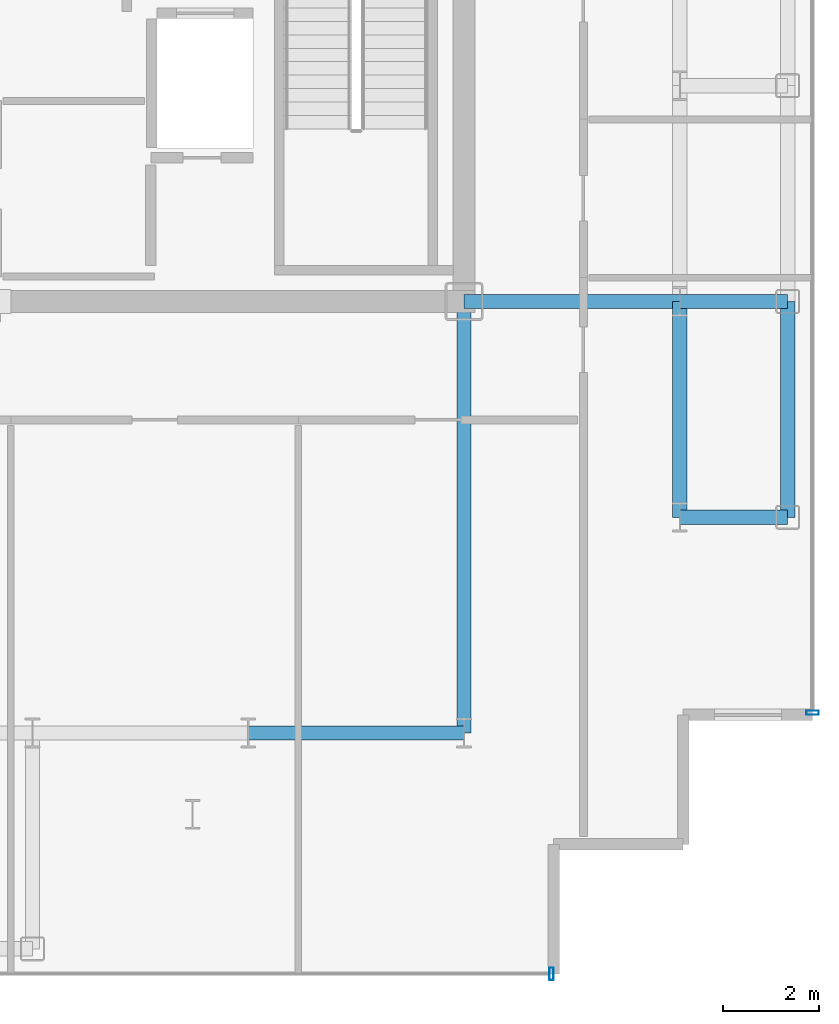
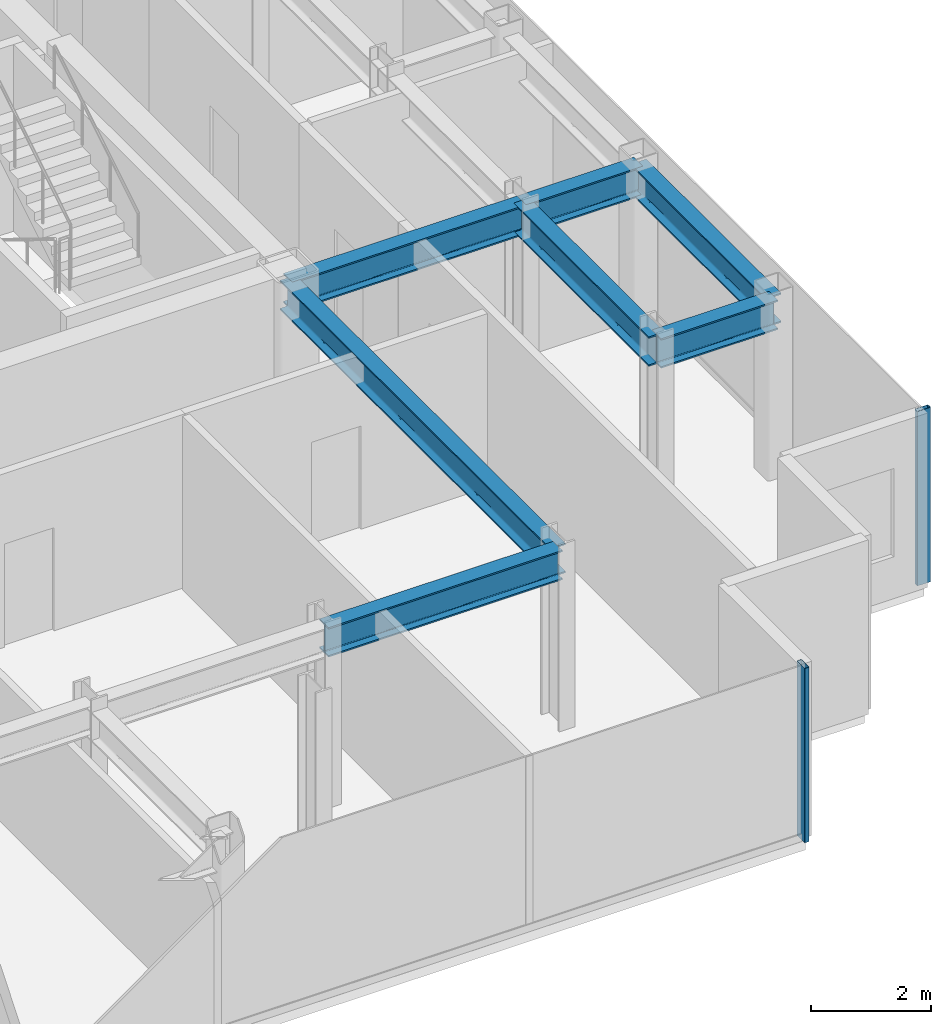
# One storey, part 6 of 18: 7 beams, 2 members, 2 elements without a shape of their own.
"""IFC4 building model written with IfcOpenShell, lengths in metres."""

from ifc_helpers import new_model, si_unit, direction, frame, origin, origin_2d, place, context, subcontext, project, spatial, hollow_rectangle, i_section, extrude, source, transform, mapped, material, layer, layer_set, material_profile, profile_set, type_object, element, aggregate, save


model = new_model("IFC4")

# Units and contexts
model_context = context("Model", 3, precision=1e-05, world=origin(), true_north=direction((0.0, 1.0)))
body_context = subcontext(model_context, "Body", "Model", "MODEL_VIEW")
ifc_project = project(units=[si_unit("LENGTHUNIT", "METRE"), si_unit("AREAUNIT", "SQUARE_METRE"), si_unit("VOLUMEUNIT", "CUBIC_METRE"), si_unit("PLANEANGLEUNIT", "RADIAN"), si_unit("MASSUNIT", "GRAM", prefix="KILO")], contexts=[model_context])

# Site, building, storey
site_placement = place(None, origin())
site = spatial("IfcSite", under=ifc_project, at=site_placement, CompositionType="ELEMENT")
building_placement = place(site_placement, origin())
building = spatial("IfcBuilding", under=site, at=building_placement, Name="Nefas-Gora Pilgrimage Tower", CompositionType="ELEMENT")
storey_placement = place(building_placement, frame((0.0, 0.0, 295.0)))
storey = spatial("IfcBuildingStorey", under=building, at=storey_placement, Name="L74", CompositionType="ELEMENT", Elevation=295.0)

# Beams
ifc_material_1 = material(Name="Steel S355", Category="steel")
ifc_material_profile_1 = material_profile(ifc_material_1, i_section(OverallWidth=0.300048828125, OverallDepth=0.60009765625, WebThickness=0.015380859375, FlangeThickness=0.030029296875, FilletRadius=0.027099609375, at=origin_2d()), Name="HEB 600")
ifc_profile_set_1 = profile_set([ifc_material_profile_1], Name="Steel S355")
beam_type_1 = type_object("IfcBeamType", Name="BM-SPN-HEB450", PredefinedType="SPANDREL", material=ifc_profile_set_1)
shared_shape_1 = source(origin(), body_context, "Body", "SweptSolid", [
    extrude(i_section(OverallWidth=0.300048828125, OverallDepth=0.60009765625, WebThickness=0.015380859375, FlangeThickness=0.030029296875, FilletRadius=0.027099609375, at=origin_2d()), origin(), (0.0, 0.0, 1.0), 4.5),
])
beam_1_placement = place(storey_placement, frame((18.0, -13.5, 3.25), z_axis=(0.0, 1.0, 0.0), x_axis=(-1.0, 0.0, 0.0)))
element("IfcBeam", 1, at=beam_1_placement, inside=storey, type_object=beam_type_1, Name="L74 SP-03 beam", PredefinedType="SPANDREL", context=body_context, shape_type="MappedRepresentation", body=[
    mapped(shared_shape_1, transform((0.0, 0.0, 0.0), x_axis=(1.0, 0.0, 0.0), y_axis=(0.0, 1.0, 0.0), z_axis=(0.0, 0.0, 1.0), scale=1.0)),
])
ifc_material_profile_2 = material_profile(ifc_material_1, i_section(OverallWidth=0.300048828125, OverallDepth=0.60009765625, WebThickness=0.015380859375, FlangeThickness=0.030029296875, FilletRadius=0.027099609375, at=origin_2d()), Name="HEB 600")
ifc_profile_set_2 = profile_set([ifc_material_profile_2], Name="Steel S355")
beam_type_2 = type_object("IfcBeamType", Name="BM-GIR-HEB600", PredefinedType="BEAM", material=ifc_profile_set_2)
shared_shape_2 = source(origin(), body_context, "Body", "SweptSolid", [
    extrude(i_section(OverallWidth=0.300048828125, OverallDepth=0.60009765625, WebThickness=0.015380859375, FlangeThickness=0.030029296875, FilletRadius=0.027099609375, at=origin_2d()), origin(), (0.0, 0.0, 1.0), 9.0),
])
beam_2_placement = place(storey_placement, frame((11.25, -18.0, 3.25), z_axis=(0.0, 1.0, 0.0), x_axis=(-1.0, 0.0, 0.0)))
element("IfcBeam", 2, at=beam_2_placement, inside=storey, type_object=beam_type_2, Name="L74 G-04 beam", PredefinedType="BEAM", context=body_context, shape_type="MappedRepresentation", body=[
    mapped(shared_shape_2, transform((0.0, 0.0, 0.0), x_axis=(1.0, 0.0, 0.0), y_axis=(0.0, 1.0, 0.0), z_axis=(0.0, 0.0, 1.0), scale=1.0)),
])
shared_shape_3 = source(origin(), body_context, "Body", "SweptSolid", [
    extrude(i_section(OverallWidth=0.300048828125, OverallDepth=0.60009765625, WebThickness=0.015380859375, FlangeThickness=0.030029296875, FilletRadius=0.027099609375, at=origin_2d()), origin(), (0.0, 0.0, 1.0), 4.5),
])
for number, where, z_axis, x_axis, name in (
    (3, (6.75, -18.0, 3.25), (1.0, 0.0, 0.0), (0.0, 1.0, 0.0), "L74 G-04 beam"),
    (4, (11.25, -9.0, 3.25), (1.0, 0.0, 0.0), (0.0, 1.0, 0.0), "L74 G-04 beam"),
    (5, (15.75, -13.5, 3.25), (0.0, 1.0, 0.0), (-1.0, 0.0, 0.0), "L74 G-04 beam"),
):
    element("IfcBeam", number, at=place(storey_placement, frame(where, z_axis=z_axis, x_axis=x_axis)), inside=storey, type_object=beam_type_2, Name=name, PredefinedType="BEAM", context=body_context, shape_type="MappedRepresentation", body=[
        mapped(shared_shape_3, transform((0.0, 0.0, 0.0), x_axis=(1.0, 0.0, 0.0), y_axis=(0.0, 1.0, 0.0), z_axis=(0.0, 0.0, 1.0), scale=1.0)),
    ])
shared_shape_4 = source(origin(), body_context, "Body", "SweptSolid", [
    extrude(i_section(OverallWidth=0.300048828125, OverallDepth=0.60009765625, WebThickness=0.015380859375, FlangeThickness=0.030029296875, FilletRadius=0.027099609375, at=origin_2d()), origin(), (0.0, 0.0, 1.0), 2.25),
])
for number, where, z_axis, x_axis, name in (
    (6, (15.75, -13.5, 3.25), (1.0, 0.0, 0.0), (0.0, 1.0, 0.0), "L74 G-04 beam"),
    (7, (15.75, -9.0, 3.25), (1.0, 0.0, 0.0), (0.0, 1.0, 0.0), "L74 G-04 beam"),
):
    element("IfcBeam", number, at=place(storey_placement, frame(where, z_axis=z_axis, x_axis=x_axis)), inside=storey, type_object=beam_type_2, Name=name, PredefinedType="BEAM", context=body_context, shape_type="MappedRepresentation", body=[
        mapped(shared_shape_4, transform((0.0, 0.0, 0.0), x_axis=(1.0, 0.0, 0.0), y_axis=(0.0, 1.0, 0.0), z_axis=(0.0, 0.0, 1.0), scale=1.0)),
    ])

# Curtain wall, member
ifc_material_2 = material(Name="Dark ceramic-fritted solar-control aluminium-glass curtain wall", Category="aluminium")
ifc_layer = layer(ifc_material_2, 0.219970703125)
ifc_layer_set = layer_set([ifc_layer], Name="Dark ceramic-fritted solar-control aluminium-glass curtain wall")
curtain_wall_type = type_object("IfcCurtainWallType", Name="CW-SYS-4", PredefinedType="NOTDEFINED", material=ifc_layer_set)
curtain_wall_1_placement = place(storey_placement, origin())
curtain_wall_1 = element("IfcCurtainWall", 8, at=curtain_wall_1_placement, inside=storey, type_object=curtain_wall_type, Name="L74 Unitised Curtain Wall CW4", PredefinedType="NOTDEFINED")
ifc_material_3 = material(Name="Anodised architectural aluminium", Category="aluminium")
ifc_material_profile_3 = material_profile(ifc_material_3, hollow_rectangle(XDim=0.090087890625, YDim=0.260009765625, WallThickness=0.006103515625, InnerFilletRadius=0.006103515625, OuterFilletRadius=0.011962890625, at=origin_2d()), Name="ALU MULLION 90x260")
ifc_profile_set_3 = profile_set([ifc_material_profile_3], Name="Anodised architectural aluminium")
member_type = type_object("IfcMemberType", Name="CWM-MUL-4", PredefinedType="MULLION", material=ifc_profile_set_3)
shared_shape_5 = source(origin(), body_context, "Body", "SweptSolid", [
    extrude(hollow_rectangle(XDim=0.090087890625, YDim=0.260009765625, WallThickness=0.006103515625, InnerFilletRadius=0.006103515625, OuterFilletRadius=0.011962890625, at=origin_2d()), origin(), (0.0, 0.0, 1.0), 3.550048828125),
])
member_1_placement = place(storey_placement, frame((18.52001953125, -17.574951171875, 0.0), z_axis=(0.0, 0.0, 1.0), x_axis=(0.0, 1.0, 0.0)))
member_1 = element("IfcMember", 9, at=member_1_placement, type_object=member_type, Name="CW4 Mullion 1", PredefinedType="MULLION", context=body_context, shape_type="MappedRepresentation", body=[
    mapped(shared_shape_5, transform((0.0, 0.0, 0.0), x_axis=(1.0, 0.0, 0.0), y_axis=(0.0, 1.0, 0.0), z_axis=(0.0, 0.0, 1.0), scale=1.0)),
])
aggregate(curtain_wall_1, [member_1])

curtain_wall_2_placement = place(storey_placement, origin())
curtain_wall_2 = element("IfcCurtainWall", 10, at=curtain_wall_2_placement, inside=storey, type_object=curtain_wall_type, Name="L74 Unitised Curtain Wall CW4", PredefinedType="NOTDEFINED")
member_2_placement = place(storey_placement, frame((13.074951171875, -23.02001953125, 0.0), z_axis=(0.0, 0.0, 1.0), x_axis=(1.0, 0.0, 0.0)))
member_2 = element("IfcMember", 11, at=member_2_placement, type_object=member_type, Name="CW4 Mullion 2", PredefinedType="MULLION", context=body_context, shape_type="MappedRepresentation", body=[
    mapped(shared_shape_5, transform((0.0, 0.0, 0.0), x_axis=(1.0, 0.0, 0.0), y_axis=(0.0, 1.0, 0.0), z_axis=(0.0, 0.0, 1.0), scale=1.0)),
])
aggregate(curtain_wall_2, [member_2])

save(model, "model.ifc")
